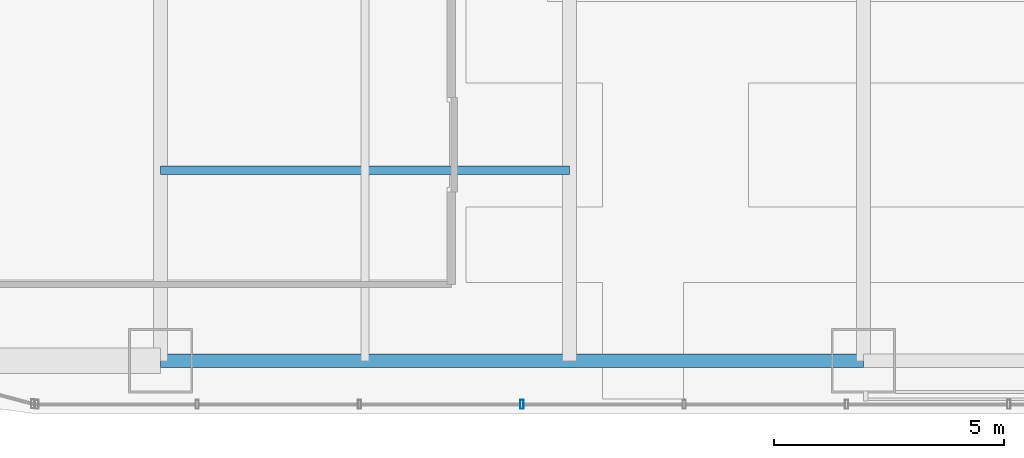
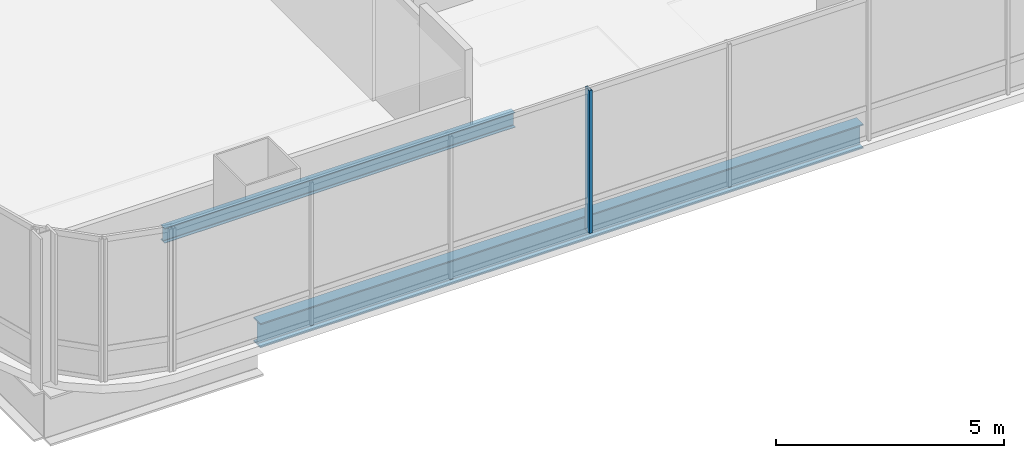
# One storey, part 3 of 38: 2 beams, 1 member, 1 element without a shape of its own.
"""IFC4 building model written with IfcOpenShell, lengths in metres."""

from ifc_helpers import new_model, si_unit, direction, frame, origin, origin_2d, place, context, subcontext, project, spatial, hollow_rectangle, i_section, extrude, material, material_profile, profile_set, type_object, element, aggregate, save


model = new_model("IFC4")

# Units and contexts
model_context = context("Model", 3, precision=1e-05, world=origin(), true_north=direction((0.0, 1.0)))
body_context = subcontext(model_context, "Body", "Model", "MODEL_VIEW")
ifc_project = project(units=[si_unit("LENGTHUNIT", "METRE"), si_unit("AREAUNIT", "SQUARE_METRE"), si_unit("VOLUMEUNIT", "CUBIC_METRE"), si_unit("PLANEANGLEUNIT", "RADIAN"), si_unit("MASSUNIT", "GRAM", prefix="KILO")], contexts=[model_context])

# Site, building, storey
site_placement = place(None, origin())
site = spatial("IfcSite", under=ifc_project, at=site_placement, CompositionType="ELEMENT")
building_placement = place(site_placement, origin())
building = spatial("IfcBuilding", under=site, at=building_placement, Name="Punatoya Terracotta Tower", CompositionType="ELEMENT")
storey_placement = place(building_placement, frame((0.0, 0.0, 143.85009765625)))
storey = spatial("IfcBuildingStorey", under=building, at=storey_placement, Name="L33", CompositionType="ELEMENT", Elevation=143.85009765625)

# Beams
ifc_material_1 = material(Name="Steel S355", Category="steel")
ifc_material_profile_1 = material_profile(ifc_material_1, i_section(OverallWidth=0.300048828125, OverallDepth=0.64990234375, WebThickness=0.01611328125, FlangeThickness=0.031005859375, FilletRadius=0.01806640625, at=origin_2d()))
ifc_profile_set_1 = profile_set([ifc_material_profile_1], Name="Steel S355")
beam_type_1 = type_object("IfcBeamType", Name="BM-PRI-650", PredefinedType="BEAM", material=ifc_profile_set_1)
beam_1_placement = place(storey_placement, frame((-19.10009765625, -17.5, -0.545166015625), z_axis=(1.0, 0.0, 0.0), x_axis=(0.0, 1.0, 0.0)))
element("IfcBeam", 1, at=beam_1_placement, inside=storey, type_object=beam_type_1, Name="BM-L33-RG-S1", PredefinedType="BEAM", context=body_context, shape_type="SweptSolid", body=[
    extrude(i_section(OverallWidth=0.300048828125, OverallDepth=0.64990234375, WebThickness=0.01611328125, FlangeThickness=0.031005859375, FilletRadius=0.01806640625, at=origin_2d()), origin(), (0.0, 0.0, 1.0), 15.300048828125),
])
ifc_material_profile_2 = material_profile(ifc_material_1, i_section(OverallWidth=0.179931640625, OverallDepth=0.39990234375, WebThickness=0.008544921875, FlangeThickness=0.013427734375, FilletRadius=0.01806640625, at=origin_2d()))
ifc_profile_set_2 = profile_set([ifc_material_profile_2], Name="Steel S355")
beam_type_2 = type_object("IfcBeamType", Name="BM-SEC-400", PredefinedType="JOIST", material=ifc_profile_set_2)
beam_2_placement = place(storey_placement, frame((-19.10009765625, -13.35009765625, -0.420166015625), z_axis=(1.0, 0.0, 0.0), x_axis=(0.0, 1.0, 0.0)))
element("IfcBeam", 2, at=beam_2_placement, inside=storey, type_object=beam_type_2, Name="BM-L33-SJS-1", PredefinedType="JOIST", context=body_context, shape_type="SweptSolid", body=[
    extrude(i_section(OverallWidth=0.179931640625, OverallDepth=0.39990234375, WebThickness=0.008544921875, FlangeThickness=0.013427734375, FilletRadius=0.01806640625, at=origin_2d()), origin(), (0.0, 0.0, 1.0), 8.900146484375),
])

# Curtain wall, member
ifc_material_2 = material(Name="Aluminium 6063-T6 + Double Low-E Glass", Category="aluminium")
curtain_wall_type = type_object("IfcCurtainWallType", Name="CW-M2", PredefinedType="NOTDEFINED", material=ifc_material_2)
curtain_wall_placement = place(storey_placement, origin())
curtain_wall = element("IfcCurtainWall", 3, at=curtain_wall_placement, inside=storey, type_object=curtain_wall_type, Name="L33 Curtain Wall CW-L33-S01-1", PredefinedType="NOTDEFINED")
ifc_material_3 = material(Name="Aluminium 6063-T6", Category="aluminium")
ifc_material_profile_3 = material_profile(ifc_material_3, hollow_rectangle(XDim=0.072021484375, YDim=0.195068359375, WallThickness=0.00439453125, at=origin_2d()))
ifc_profile_set_3 = profile_set([ifc_material_profile_3], Name="Aluminium 6063-T6")
member_type = type_object("IfcMemberType", Name="CW-MUL-M2", PredefinedType="MULLION", material=ifc_profile_set_3)
member_placement = place(storey_placement, frame((-11.235107421875, -18.449951171875, 0.0), z_axis=(0.0, 0.0, 1.0), x_axis=(1.0, 0.0, 0.0)))
member = element("IfcMember", 4, at=member_placement, type_object=member_type, Name="CW-L33-S01-1 Mullion 03", PredefinedType="MULLION", context=body_context, shape_type="SweptSolid", body=[
    extrude(hollow_rectangle(XDim=0.072021484375, YDim=0.195068359375, WallThickness=0.00439453125, at=origin_2d()), origin(), (0.0, 0.0, 1.0), 3.829833984375),
])
aggregate(curtain_wall, [member])

save(model, "model.ifc")
